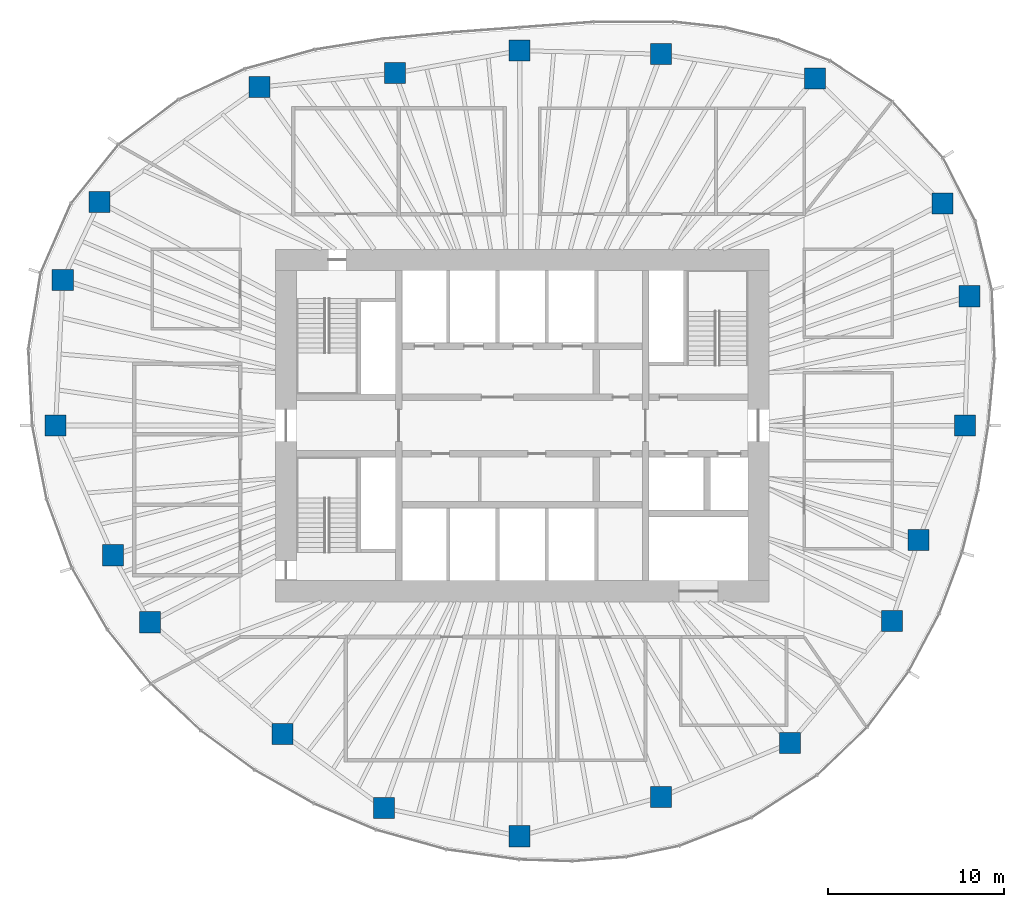
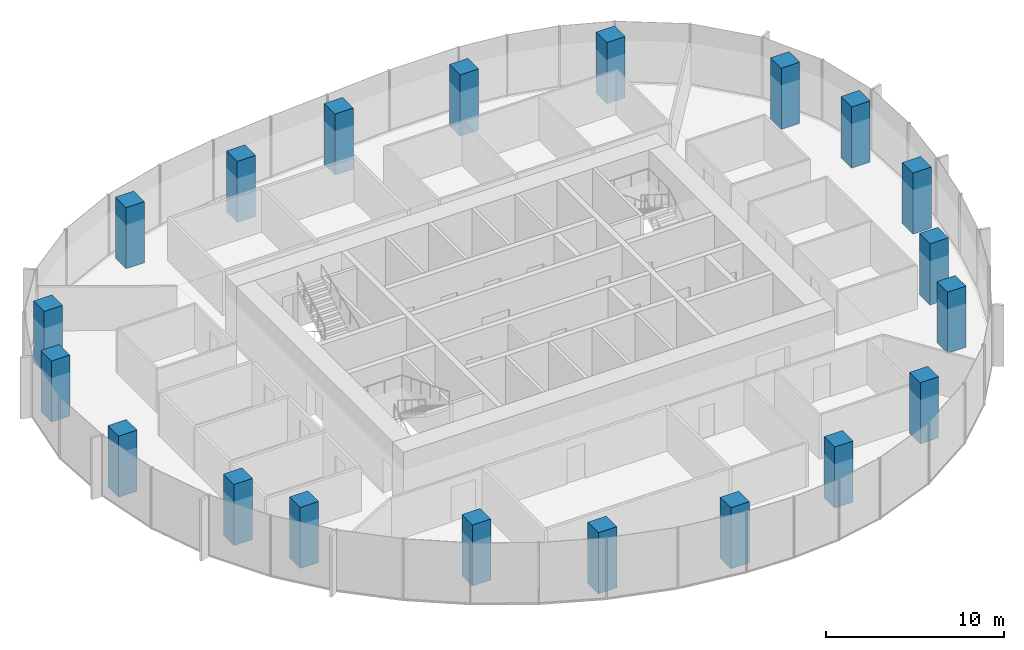
# One storey, part 1 of 11: 20 columns.
"""IFC4 building model written with IfcOpenShell, lengths in metres."""

from ifc_helpers import new_model, si_unit, direction, frame, origin, origin_2d, place, context, subcontext, project, spatial, rectangle, extrude, material, material_profile, profile_set, type_object, element, save


model = new_model("IFC4")

# Units and contexts
model_context = context("Model", 3, precision=1e-05, world=origin(), true_north=direction((0.0, 1.0)))
body_context = subcontext(model_context, "Body", "Model", "MODEL_VIEW")
ifc_project = project(units=[si_unit("LENGTHUNIT", "METRE"), si_unit("AREAUNIT", "SQUARE_METRE"), si_unit("VOLUMEUNIT", "CUBIC_METRE"), si_unit("PLANEANGLEUNIT", "RADIAN"), si_unit("MASSUNIT", "GRAM", prefix="KILO")], contexts=[model_context])

# Site, building, storey
site_placement = place(None, origin())
site = spatial("IfcSite", under=ifc_project, at=site_placement, CompositionType="ELEMENT")
building_placement = place(site_placement, origin())
building = spatial("IfcBuilding", under=site, at=building_placement, Name="Ghaith Harvest Tower", CompositionType="ELEMENT")
storey_placement = place(building_placement, frame((0.0, 0.0, 241.0)))
storey = spatial("IfcBuildingStorey", under=building, at=storey_placement, Name="L53", CompositionType="ELEMENT", Elevation=241.0)

# Columns
ifc_material = material(Name="Concrete C60/75", Category="concrete")
ifc_material_profile = material_profile(ifc_material, rectangle(XDim=1.199951171875, YDim=1.199951171875, at=origin_2d()), Name="RC1200X1200")
ifc_profile_set = profile_set([ifc_material_profile], Name="Concrete C60/75")
column_type = type_object("IfcColumnType", Name="TC6 RC1200X1200", PredefinedType="COLUMN", material=ifc_profile_set)
for number, where, z_axis, x_axis, name in (
    (1, (25.125, 0.0, 0.0), (0.0, 0.0, 1.0), (1.0, 0.0, 0.0), "Perimeter column C01"),
    (2, (25.3779296875, 7.3349609375, 0.0), (0.0, 0.0, 1.0), (1.0, 0.0, 0.0), "Perimeter column C02"),
    (3, (23.85205078125, 12.60693359375, 0.0), (0.0, 0.0, 1.0), (1.0, 0.0, 0.0), "Perimeter column C03"),
    (4, (16.60791015625, 19.695068359375, 0.0), (0.0, 0.0, 1.0), (1.0, 0.0, 0.0), "Perimeter column C04"),
    (5, (7.8779296875, 21.072021484375, 0.0), (0.0, 0.0, 1.0), (1.0, 0.0, 0.0), "Perimeter column C05"),
    (6, (-0.14599609375, 21.27099609375, 0.0), (0.0, 0.0, 1.0), (1.0, 0.0, 0.0), "Perimeter column C06"),
    (7, (-7.221923828125, 19.9970703125, 0.0), (0.0, 0.0, 1.0), (1.0, 0.0, 0.0), "Perimeter column C07"),
    (8, (-14.910888671875, 19.199951171875, 0.0), (0.0, 0.0, 1.0), (1.0, 0.0, 0.0), "Perimeter column C08"),
    (9, (-23.986083984375, 12.677978515625, 0.0), (0.0, 0.0, 1.0), (1.0, 0.0, 0.0), "Perimeter column C09"),
    (10, (-26.06689453125, 8.260986328125, 0.0), (0.0, 0.0, 1.0), (1.0, 0.0, 0.0), "Perimeter column C10"),
    (11, (-26.47509765625, 0.0, 0.0), (0.0, 0.0, 1.0), (1.0, 0.0, 0.0), "Perimeter column C11"),
    (12, (-23.22412109375, -7.360107421875, 0.0), (0.0, 0.0, 1.0), (1.0, 0.0, 0.0), "Perimeter column C12"),
    (13, (-21.125, -11.166015625, 0.0), (0.0, 0.0, 1.0), (1.0, 0.0, 0.0), "Perimeter column C13"),
    (14, (-13.594970703125, -17.5048828125, 0.0), (0.0, 0.0, 1.0), (1.0, 0.0, 0.0), "Perimeter column C14"),
    (15, (-7.837890625, -21.699951171875, 0.0), (0.0, 0.0, 1.0), (1.0, 0.0, 0.0), "Perimeter column C15"),
    (16, (-0.158935546875, -23.304931640625, 0.0), (0.0, 0.0, 1.0), (1.0, 0.0, 0.0), "Perimeter column C16"),
    (17, (7.8779296875, -21.072021484375, 0.0), (0.0, 0.0, 1.0), (1.0, 0.0, 0.0), "Perimeter column C17"),
    (18, (15.197998046875, -18.02294921875, 0.0), (0.0, 0.0, 1.0), (1.0, 0.0, 0.0), "Perimeter column C18"),
    (19, (20.97705078125, -11.087890625, 0.0), (0.0, 0.0, 1.0), (1.0, 0.0, 0.0), "Perimeter column C19"),
    (20, (22.485107421875, -6.4990234375, 0.0), (0.0, 0.0, 1.0), (1.0, 0.0, 0.0), "Perimeter column C20"),
):
    element("IfcColumn", number, at=place(storey_placement, frame(where, z_axis=z_axis, x_axis=x_axis)), inside=storey, type_object=column_type, Name=name, PredefinedType="COLUMN", context=body_context, shape_type="SweptSolid", body=[
        extrude(rectangle(XDim=1.199951171875, YDim=1.199951171875, at=origin_2d()), origin(), (0.0, 0.0, 1.0), 4.199951171875),
    ])

save(model, "model.ifc")
